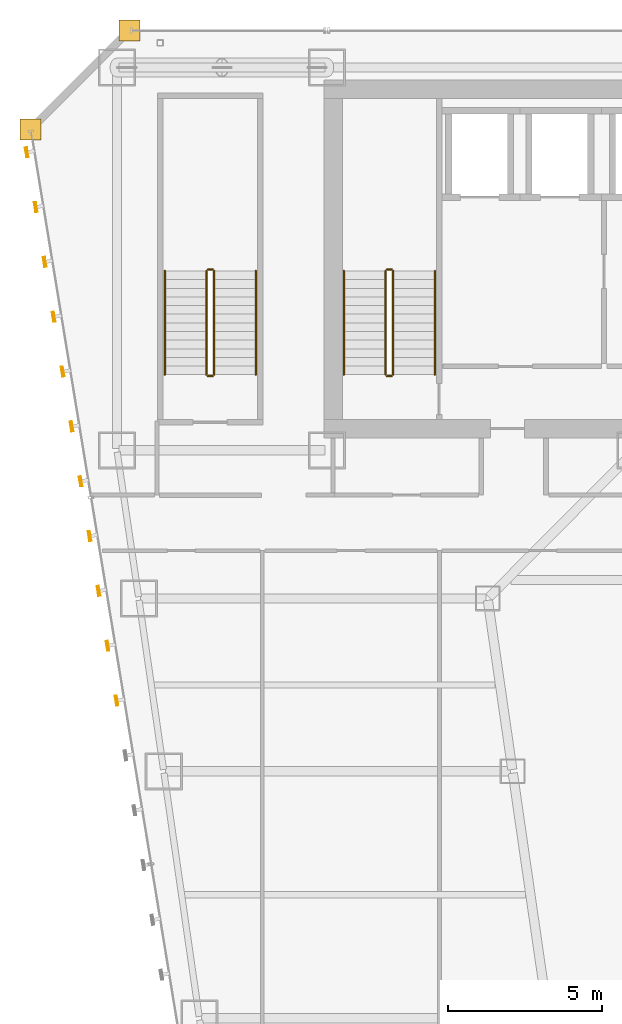
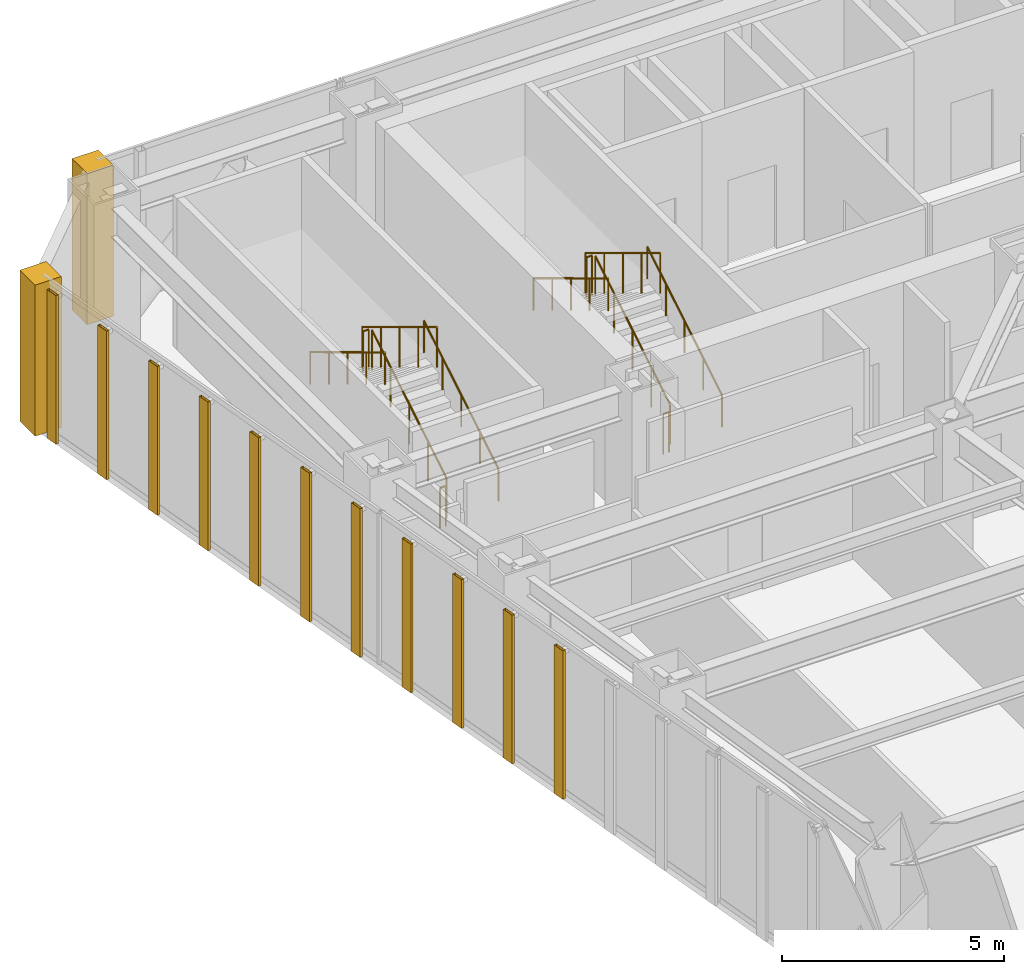
# One storey, part 46 of 47: 12 railings, 11 shading devices, 2 coverings.
"""IFC4 building model written with IfcOpenShell, lengths in metres."""

from ifc_helpers import new_model, si_unit, direction, frame, origin, origin_2d, place, context, subcontext, project, spatial, polyline, hollow_rectangle, circle, outline, extrude, material, layer, layer_set, material_profile, profile_set, type_object, element, save


model = new_model("IFC4")

# Units and contexts
model_context = context("Model", 3, precision=1e-05, world=origin(), true_north=direction((0.0, 1.0)))
body_context = subcontext(model_context, "Body", "Model", "MODEL_VIEW")
ifc_project = project(units=[si_unit("LENGTHUNIT", "METRE"), si_unit("AREAUNIT", "SQUARE_METRE"), si_unit("VOLUMEUNIT", "CUBIC_METRE"), si_unit("PLANEANGLEUNIT", "RADIAN"), si_unit("MASSUNIT", "GRAM", prefix="KILO")], contexts=[model_context])

# Site, building, storey
site_placement = place(None, origin())
site = spatial("IfcSite", under=ifc_project, at=site_placement, CompositionType="ELEMENT")
building_placement = place(site_placement, origin())
building = spatial("IfcBuilding", under=site, at=building_placement, Name="Saevonmaru Cultural Tower", CompositionType="ELEMENT")
storey_placement = place(building_placement, frame((0.0, 0.0, 92.800048828125)))
storey = spatial("IfcBuildingStorey", under=building, at=storey_placement, Name="L19", CompositionType="ELEMENT", Elevation=92.800048828125)

# Coverings
ifc_material_1 = material(Name="Satin Bronze Anodised Aluminium", Category="aluminium")
ifc_layer = layer(ifc_material_1, 0.679931640625, Name="Satin Bronze Anodised Aluminium")
ifc_layer_set = layer_set([ifc_layer], Name="Satin Bronze Anodised Aluminium")
covering_type = type_object("IfcCoveringType", Name="CV-CORNER-CLAD", PredefinedType="CLADDING", material=ifc_layer_set)
covering_1_placement = place(storey_placement, origin())
element("IfcCovering", 1, at=covering_1_placement, inside=storey, type_object=covering_type, Name="L19 Tower Bronze Corner Cladding Pier 11", PredefinedType="CLADDING", context=body_context, shape_type="SweptSolid", body=[
    extrude(outline(polyline([(6.860107421875, 55.659912109375), (7.5400390625, 55.659912109375), (7.5400390625, 56.340087890625), (6.860107421875, 56.340087890625), (6.860107421875, 55.659912109375)])), origin(), (0.0, 0.0, 1.0), 4.14990234375),
])
covering_2_placement = place(storey_placement, origin())
element("IfcCovering", 2, at=covering_2_placement, inside=storey, type_object=covering_type, Name="L19 Tower Bronze Corner Cladding Pier 12", PredefinedType="CLADDING", context=body_context, shape_type="SweptSolid", body=[
    extrude(outline(polyline([(3.659912109375, 52.4599609375), (4.340087890625, 52.4599609375), (4.340087890625, 53.139892578125), (3.659912109375, 53.139892578125), (3.659912109375, 52.4599609375)])), origin(), (0.0, 0.0, 1.0), 4.14990234375),
])

# Railings
ifc_material_2 = material(Name="Architectural Painted Steel", Category="steel")
railing_type_1 = type_object("IfcRailingType", Name="RL-STAIR-GUARD", PredefinedType="GUARDRAIL", material=ifc_material_2)
railing_1_placement = place(storey_placement, frame((15.75, 44.85009765625, 0.169189453125)))
element("IfcRailing", 3, at=railing_1_placement, inside=storey, type_object=railing_type_1, Name="L19 ST-1 stair guard 1", PredefinedType="GUARDRAIL", context=body_context, shape_type="SweptSolid", body=[
    extrude(circle(Radius=0.02392578125, at=origin_2d()), frame((0.0, 0.0, 1.09619140625), z_axis=(0.0, 0.855820338506, 0.51727318527), x_axis=(-1.0, 0.0, 0.0)), (0.0, 0.0, 1.0), 3.92578125),
    extrude(circle(Radius=0.02099609375, at=origin_2d()), origin(), (0.0, 0.0, 1.0), 1.072021484375),
    extrude(circle(Radius=0.02099609375, at=origin_2d()), frame((0.0, 0.83984375, 0.5078125)), (0.0, 0.0, 1.0), 1.072021484375),
    extrude(circle(Radius=0.02099609375, at=origin_2d()), frame((0.0, 1.679931640625, 1.015380859375)), (0.0, 0.0, 1.0), 1.072021484375),
    extrude(circle(Radius=0.02099609375, at=origin_2d()), frame((0.0, 2.52001953125, 1.52294921875)), (0.0, 0.0, 1.0), 1.072021484375),
    extrude(circle(Radius=0.02099609375, at=origin_2d()), frame((0.0, 3.35986328125, 2.03076171875)), (0.0, 0.0, 1.0), 1.072021484375),
])
railing_2_placement = place(storey_placement, frame((15.699951171875, 48.260009765625, 2.199951171875)))
element("IfcRailing", 4, at=railing_2_placement, inside=storey, type_object=railing_type_1, Name="L19 ST-1 stair guard 2", PredefinedType="GUARDRAIL", context=body_context, shape_type="SweptSolid", body=[
    extrude(circle(Radius=0.02392578125, at=origin_2d()), frame((0.0, 0.0, 1.09619140625), z_axis=(-1.0, 0.0, 0.0), x_axis=(0.0, -1.0, 0.0)), (0.0, 0.0, 1.0), 0.14990234375),
    extrude(circle(Radius=0.02099609375, at=origin_2d()), origin(), (0.0, 0.0, 1.0), 1.072021484375),
    extrude(circle(Radius=0.02099609375, at=origin_2d()), frame((-0.14990234375, 0.0, 0.0)), (0.0, 0.0, 1.0), 1.072021484375),
])
railing_3_placement = place(storey_placement, frame((15.5, 48.2099609375, 2.369140625)))
element("IfcRailing", 5, at=railing_3_placement, inside=storey, type_object=railing_type_1, Name="L19 ST-1 stair guard 3", PredefinedType="GUARDRAIL", context=body_context, shape_type="SweptSolid", body=[
    extrude(circle(Radius=0.02392578125, at=origin_2d()), frame((0.0, 0.0, 1.09619140625), z_axis=(0.0, -0.855820338506, 0.51727318527), x_axis=(1.0, 0.0, 0.0)), (0.0, 0.0, 1.0), 3.92578125),
    extrude(circle(Radius=0.02099609375, at=origin_2d()), origin(), (0.0, 0.0, 1.0), 1.072021484375),
    extrude(circle(Radius=0.02099609375, at=origin_2d()), frame((0.0, -0.83984375, 0.5078125)), (0.0, 0.0, 1.0), 1.072021484375),
    extrude(circle(Radius=0.02099609375, at=origin_2d()), frame((0.0, -1.679931640625, 1.015380859375)), (0.0, 0.0, 1.0), 1.072021484375),
    extrude(circle(Radius=0.02099609375, at=origin_2d()), frame((0.0, -2.52001953125, 1.52294921875)), (0.0, 0.0, 1.0), 1.072021484375),
    extrude(circle(Radius=0.02099609375, at=origin_2d()), frame((0.0, -3.35986328125, 2.03076171875)), (0.0, 0.0, 1.0), 1.072021484375),
])
railing_4_placement = place(storey_placement, frame((15.699951171875, 44.800048828125, 0.0)))
element("IfcRailing", 6, at=railing_4_placement, inside=storey, type_object=railing_type_1, Name="L19 ST-1 stair guard 4", PredefinedType="GUARDRAIL", context=body_context, shape_type="SweptSolid", body=[
    extrude(circle(Radius=0.02392578125, at=origin_2d()), frame((0.0, 0.0, 1.09619140625), z_axis=(-1.0, 0.0, 0.0), x_axis=(0.0, -1.0, 0.0)), (0.0, 0.0, 1.0), 0.14990234375),
    extrude(circle(Radius=0.02099609375, at=origin_2d()), origin(), (0.0, 0.0, 1.0), 1.072021484375),
    extrude(circle(Radius=0.02099609375, at=origin_2d()), frame((-0.14990234375, 0.0, 0.0)), (0.0, 0.0, 1.0), 1.072021484375),
])
railing_5_placement = place(storey_placement, frame((9.949951171875, 44.85009765625, 0.169189453125)))
element("IfcRailing", 7, at=railing_5_placement, inside=storey, type_object=railing_type_1, Name="L19 ST-3 stair guard 1", PredefinedType="GUARDRAIL", context=body_context, shape_type="SweptSolid", body=[
    extrude(circle(Radius=0.02392578125, at=origin_2d()), frame((0.0, 0.0, 1.09619140625), z_axis=(0.0, 0.855820338506, 0.51727318527), x_axis=(-1.0, 0.0, 0.0)), (0.0, 0.0, 1.0), 3.92578125),
    extrude(circle(Radius=0.02099609375, at=origin_2d()), origin(), (0.0, 0.0, 1.0), 1.072021484375),
    extrude(circle(Radius=0.02099609375, at=origin_2d()), frame((0.0, 0.83984375, 0.5078125)), (0.0, 0.0, 1.0), 1.072021484375),
    extrude(circle(Radius=0.02099609375, at=origin_2d()), frame((0.0, 1.679931640625, 1.015380859375)), (0.0, 0.0, 1.0), 1.072021484375),
    extrude(circle(Radius=0.02099609375, at=origin_2d()), frame((0.0, 2.52001953125, 1.52294921875)), (0.0, 0.0, 1.0), 1.072021484375),
    extrude(circle(Radius=0.02099609375, at=origin_2d()), frame((0.0, 3.35986328125, 2.03076171875)), (0.0, 0.0, 1.0), 1.072021484375),
])
railing_6_placement = place(storey_placement, frame((9.89990234375, 48.260009765625, 2.199951171875)))
element("IfcRailing", 8, at=railing_6_placement, inside=storey, type_object=railing_type_1, Name="L19 ST-3 stair guard 2", PredefinedType="GUARDRAIL", context=body_context, shape_type="SweptSolid", body=[
    extrude(circle(Radius=0.02392578125, at=origin_2d()), frame((0.0, 0.0, 1.09619140625), z_axis=(-1.0, 0.0, 0.0), x_axis=(0.0, -1.0, 0.0)), (0.0, 0.0, 1.0), 0.14990234375),
    extrude(circle(Radius=0.02099609375, at=origin_2d()), origin(), (0.0, 0.0, 1.0), 1.072021484375),
    extrude(circle(Radius=0.02099609375, at=origin_2d()), frame((-0.14990234375, 0.0, 0.0)), (0.0, 0.0, 1.0), 1.072021484375),
])
railing_7_placement = place(storey_placement, frame((9.699951171875, 48.2099609375, 2.369140625)))
element("IfcRailing", 9, at=railing_7_placement, inside=storey, type_object=railing_type_1, Name="L19 ST-3 stair guard 3", PredefinedType="GUARDRAIL", context=body_context, shape_type="SweptSolid", body=[
    extrude(circle(Radius=0.02392578125, at=origin_2d()), frame((0.0, 0.0, 1.09619140625), z_axis=(0.0, -0.855820338506, 0.51727318527), x_axis=(1.0, 0.0, 0.0)), (0.0, 0.0, 1.0), 3.92578125),
    extrude(circle(Radius=0.02099609375, at=origin_2d()), origin(), (0.0, 0.0, 1.0), 1.072021484375),
    extrude(circle(Radius=0.02099609375, at=origin_2d()), frame((0.0, -0.83984375, 0.5078125)), (0.0, 0.0, 1.0), 1.072021484375),
    extrude(circle(Radius=0.02099609375, at=origin_2d()), frame((0.0, -1.679931640625, 1.015380859375)), (0.0, 0.0, 1.0), 1.072021484375),
    extrude(circle(Radius=0.02099609375, at=origin_2d()), frame((0.0, -2.52001953125, 1.52294921875)), (0.0, 0.0, 1.0), 1.072021484375),
    extrude(circle(Radius=0.02099609375, at=origin_2d()), frame((0.0, -3.35986328125, 2.03076171875)), (0.0, 0.0, 1.0), 1.072021484375),
])
railing_8_placement = place(storey_placement, frame((9.89990234375, 44.800048828125, 0.0)))
element("IfcRailing", 10, at=railing_8_placement, inside=storey, type_object=railing_type_1, Name="L19 ST-3 stair guard 4", PredefinedType="GUARDRAIL", context=body_context, shape_type="SweptSolid", body=[
    extrude(circle(Radius=0.02392578125, at=origin_2d()), frame((0.0, 0.0, 1.09619140625), z_axis=(-1.0, 0.0, 0.0), x_axis=(0.0, -1.0, 0.0)), (0.0, 0.0, 1.0), 0.14990234375),
    extrude(circle(Radius=0.02099609375, at=origin_2d()), origin(), (0.0, 0.0, 1.0), 1.072021484375),
    extrude(circle(Radius=0.02099609375, at=origin_2d()), frame((-0.14990234375, 0.0, 0.0)), (0.0, 0.0, 1.0), 1.072021484375),
])
railing_type_2 = type_object("IfcRailingType", Name="RL-STAIR-HANDRAIL", PredefinedType="HANDRAIL", material=ifc_material_1)
railing_9_placement = place(storey_placement, frame((17.10009765625, 44.85009765625, 0.169189453125)))
element("IfcRailing", 11, at=railing_9_placement, inside=storey, type_object=railing_type_2, Name="L19 ST-1 stair handrail 1", PredefinedType="HANDRAIL", context=body_context, shape_type="SweptSolid", body=[
    extrude(circle(Radius=0.02392578125, at=origin_2d()), frame((0.0, 0.0, 0.8759765625), z_axis=(0.0, 0.855820338506, 0.51727318527), x_axis=(-1.0, 0.0, 0.0)), (0.0, 0.0, 1.0), 3.92578125),
    extrude(circle(Radius=0.02099609375, at=origin_2d()), origin(), (0.0, 0.0, 1.0), 0.851806640625),
    extrude(circle(Radius=0.02099609375, at=origin_2d()), frame((0.0, 0.83984375, 0.5078125)), (0.0, 0.0, 1.0), 0.851806640625),
    extrude(circle(Radius=0.02099609375, at=origin_2d()), frame((0.0, 1.679931640625, 1.015380859375)), (0.0, 0.0, 1.0), 0.851806640625),
    extrude(circle(Radius=0.02099609375, at=origin_2d()), frame((0.0, 2.52001953125, 1.52294921875)), (0.0, 0.0, 1.0), 0.851806640625),
    extrude(circle(Radius=0.02099609375, at=origin_2d()), frame((0.0, 3.35986328125, 2.03076171875)), (0.0, 0.0, 1.0), 0.851806640625),
])
railing_10_placement = place(storey_placement, frame((14.14990234375, 48.2099609375, 2.369140625)))
element("IfcRailing", 12, at=railing_10_placement, inside=storey, type_object=railing_type_2, Name="L19 ST-1 stair handrail 2", PredefinedType="HANDRAIL", context=body_context, shape_type="SweptSolid", body=[
    extrude(circle(Radius=0.02392578125, at=origin_2d()), frame((0.0, 0.0, 0.8759765625), z_axis=(0.0, -0.855820338506, 0.51727318527), x_axis=(1.0, 0.0, 0.0)), (0.0, 0.0, 1.0), 3.92578125),
    extrude(circle(Radius=0.02099609375, at=origin_2d()), origin(), (0.0, 0.0, 1.0), 0.851806640625),
    extrude(circle(Radius=0.02099609375, at=origin_2d()), frame((0.0, -0.83984375, 0.5078125)), (0.0, 0.0, 1.0), 0.851806640625),
    extrude(circle(Radius=0.02099609375, at=origin_2d()), frame((0.0, -1.679931640625, 1.015380859375)), (0.0, 0.0, 1.0), 0.851806640625),
    extrude(circle(Radius=0.02099609375, at=origin_2d()), frame((0.0, -2.52001953125, 1.52294921875)), (0.0, 0.0, 1.0), 0.851806640625),
    extrude(circle(Radius=0.02099609375, at=origin_2d()), frame((0.0, -3.35986328125, 2.03076171875)), (0.0, 0.0, 1.0), 0.851806640625),
])
railing_11_placement = place(storey_placement, frame((11.300048828125, 44.85009765625, 0.169189453125)))
element("IfcRailing", 13, at=railing_11_placement, inside=storey, type_object=railing_type_2, Name="L19 ST-3 stair handrail 1", PredefinedType="HANDRAIL", context=body_context, shape_type="SweptSolid", body=[
    extrude(circle(Radius=0.02392578125, at=origin_2d()), frame((0.0, 0.0, 0.8759765625), z_axis=(0.0, 0.855820338506, 0.51727318527), x_axis=(-1.0, 0.0, 0.0)), (0.0, 0.0, 1.0), 3.92578125),
    extrude(circle(Radius=0.02099609375, at=origin_2d()), origin(), (0.0, 0.0, 1.0), 0.851806640625),
    extrude(circle(Radius=0.02099609375, at=origin_2d()), frame((0.0, 0.83984375, 0.5078125)), (0.0, 0.0, 1.0), 0.851806640625),
    extrude(circle(Radius=0.02099609375, at=origin_2d()), frame((0.0, 1.679931640625, 1.015380859375)), (0.0, 0.0, 1.0), 0.851806640625),
    extrude(circle(Radius=0.02099609375, at=origin_2d()), frame((0.0, 2.52001953125, 1.52294921875)), (0.0, 0.0, 1.0), 0.851806640625),
    extrude(circle(Radius=0.02099609375, at=origin_2d()), frame((0.0, 3.35986328125, 2.03076171875)), (0.0, 0.0, 1.0), 0.851806640625),
])
railing_12_placement = place(storey_placement, frame((8.35009765625, 48.2099609375, 2.369140625)))
element("IfcRailing", 14, at=railing_12_placement, inside=storey, type_object=railing_type_2, Name="L19 ST-3 stair handrail 2", PredefinedType="HANDRAIL", context=body_context, shape_type="SweptSolid", body=[
    extrude(circle(Radius=0.02392578125, at=origin_2d()), frame((0.0, 0.0, 0.8759765625), z_axis=(0.0, -0.855820338506, 0.51727318527), x_axis=(1.0, 0.0, 0.0)), (0.0, 0.0, 1.0), 3.92578125),
    extrude(circle(Radius=0.02099609375, at=origin_2d()), origin(), (0.0, 0.0, 1.0), 0.851806640625),
    extrude(circle(Radius=0.02099609375, at=origin_2d()), frame((0.0, -0.83984375, 0.5078125)), (0.0, 0.0, 1.0), 0.851806640625),
    extrude(circle(Radius=0.02099609375, at=origin_2d()), frame((0.0, -1.679931640625, 1.015380859375)), (0.0, 0.0, 1.0), 0.851806640625),
    extrude(circle(Radius=0.02099609375, at=origin_2d()), frame((0.0, -2.52001953125, 1.52294921875)), (0.0, 0.0, 1.0), 0.851806640625),
    extrude(circle(Radius=0.02099609375, at=origin_2d()), frame((0.0, -3.35986328125, 2.03076171875)), (0.0, 0.0, 1.0), 0.851806640625),
])

# Shading devices
ifc_material_profile = material_profile(ifc_material_1, hollow_rectangle(XDim=0.070068359375, YDim=0.320068359375, WallThickness=0.0048828125, at=origin_2d()), Name="FIN-320x70")
ifc_profile_set = profile_set([ifc_material_profile], Name="Satin Bronze Anodised Aluminium")
shading_device_type = type_object("IfcShadingDeviceType", Name="SHD-FIN-320", PredefinedType="JALOUSIE", material=ifc_profile_set)
for number, where, z_axis, x_axis, name in (
    (15, (3.879150390625, 52.05322265625, 0.050048828125), (0.0, 0.0, 1.0), (-0.986827496189, -0.161776057456, 0.0), "L19 Art Deco Sawtooth Bronze Fin E12-01"),
    (16, (4.170166015625, 50.27685546875, 0.050048828125), (0.0, 0.0, 1.0), (-0.986827496189, -0.161776057456, 0.0), "L19 Art Deco Sawtooth Bronze Fin E12-02"),
    (17, (4.461181640625, 48.50048828125, 0.050048828125), (0.0, 0.0, 1.0), (-0.986827496189, -0.161776057456, 0.0), "L19 Art Deco Sawtooth Bronze Fin E12-03"),
    (18, (4.75244140625, 46.724365234375, 0.050048828125), (0.0, 0.0, 1.0), (-0.986827496189, -0.161776057456, 0.0), "L19 Art Deco Sawtooth Bronze Fin E12-04"),
    (19, (5.04345703125, 44.947998046875, 0.050048828125), (0.0, 0.0, 1.0), (-0.986827496189, -0.161776057456, 0.0), "L19 Art Deco Sawtooth Bronze Fin E12-05"),
    (20, (5.334716796875, 43.171630859375, 0.050048828125), (0.0, 0.0, 1.0), (-0.986827496189, -0.161776057456, 0.0), "L19 Art Deco Sawtooth Bronze Fin E12-06"),
    (21, (5.62548828125, 41.3955078125, 0.050048828125), (0.0, 0.0, 1.0), (-0.986827496189, -0.161776057456, 0.0), "L19 Art Deco Sawtooth Bronze Fin E12-07"),
    (22, (5.916748046875, 39.618896484375, 0.050048828125), (0.0, 0.0, 1.0), (-0.986827496189, -0.161776057456, 0.0), "L19 Art Deco Sawtooth Bronze Fin E12-08"),
    (23, (6.207763671875, 37.8427734375, 0.050048828125), (0.0, 0.0, 1.0), (-0.986827496189, -0.161776057456, 0.0), "L19 Art Deco Sawtooth Bronze Fin E12-09"),
    (24, (6.498779296875, 36.06640625, 0.050048828125), (0.0, 0.0, 1.0), (-0.986827496189, -0.161776057456, 0.0), "L19 Art Deco Sawtooth Bronze Fin E12-10"),
    (25, (6.789794921875, 34.2900390625, 0.050048828125), (0.0, 0.0, 1.0), (-0.986827496189, -0.161776057456, 0.0), "L19 Art Deco Sawtooth Bronze Fin E12-11"),
):
    element("IfcShadingDevice", number, at=place(storey_placement, frame(where, z_axis=z_axis, x_axis=x_axis)), inside=storey, type_object=shading_device_type, Name=name, PredefinedType="JALOUSIE", context=body_context, shape_type="SweptSolid", body=[
        extrude(hollow_rectangle(XDim=0.070068359375, YDim=0.320068359375, WallThickness=0.0048828125, at=origin_2d()), origin(), (0.0, 0.0, 1.0), 4.079833984375),
    ])

save(model, "model.ifc")
